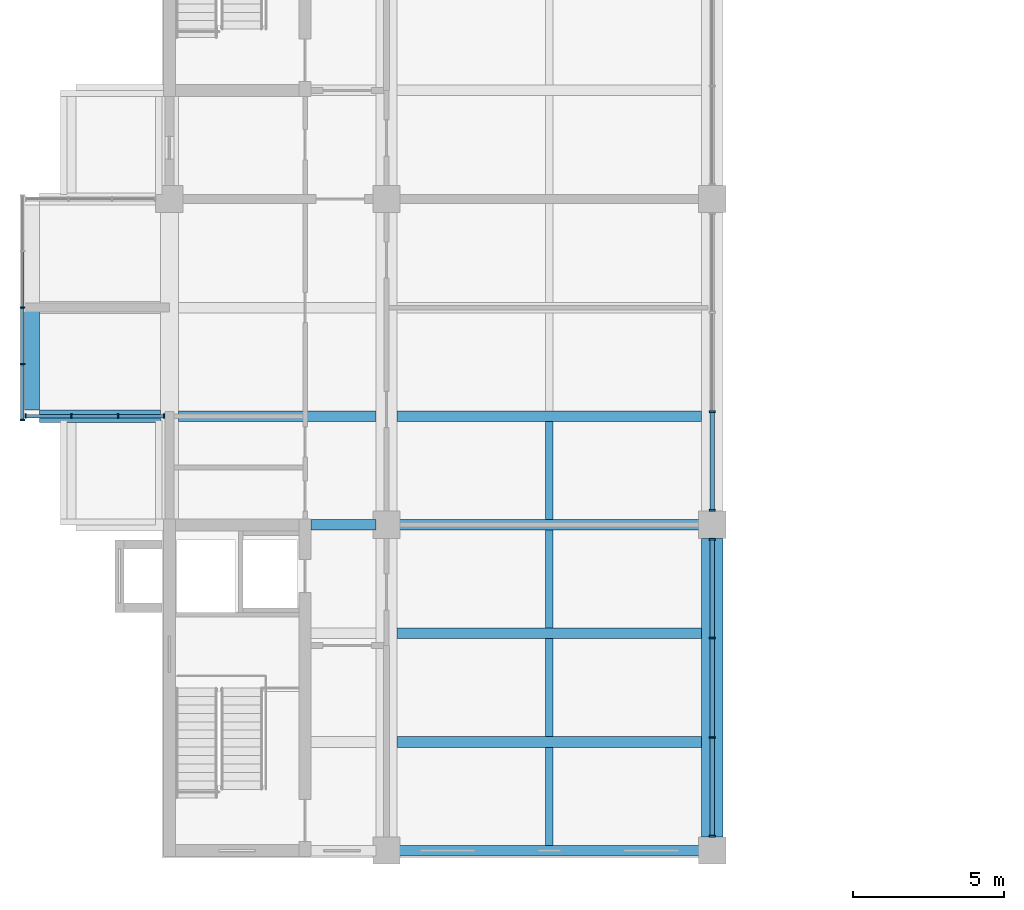
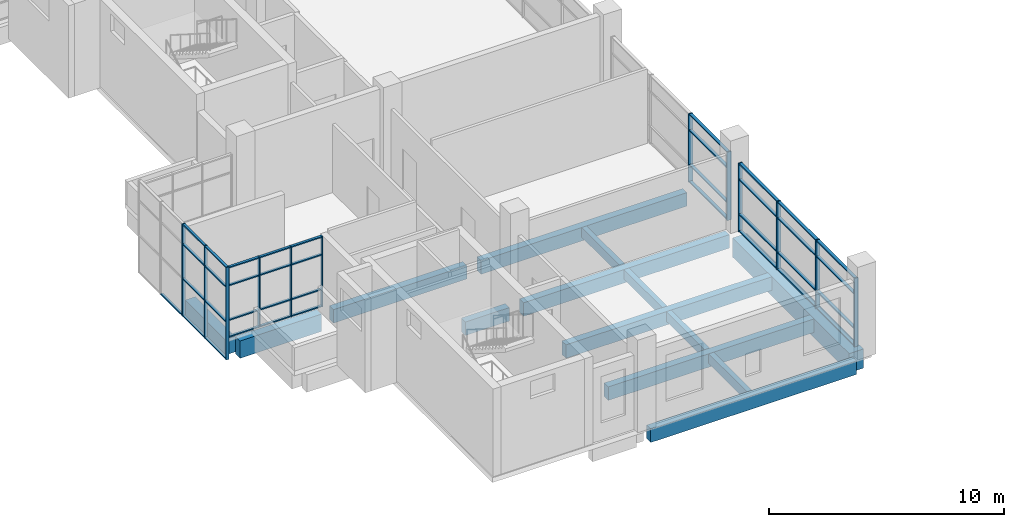
# One storey, part 2 of 22: 50 members, 14 beams, 4 elements without a shape of their own.
"""IFC4 building model written with IfcOpenShell, lengths in metres."""

from ifc_helpers import new_model, si_unit, direction, frame, origin, origin_2d, place, context, subcontext, project, spatial, rectangle, extrude, material, layer, layer_set, material_profile, profile_set, type_object, element, aggregate, save


model = new_model("IFC4")

# Units and contexts
model_context = context("Model", 3, precision=1e-05, world=origin(), true_north=direction((0.0, 1.0)))
body_context = subcontext(model_context, "Body", "Model", "MODEL_VIEW")
ifc_project = project(units=[si_unit("LENGTHUNIT", "METRE"), si_unit("AREAUNIT", "SQUARE_METRE"), si_unit("VOLUMEUNIT", "CUBIC_METRE"), si_unit("PLANEANGLEUNIT", "RADIAN"), si_unit("MASSUNIT", "GRAM", prefix="KILO")], contexts=[model_context])

# Site, building, storey
site_placement = place(None, origin())
site = spatial("IfcSite", under=ifc_project, at=site_placement, CompositionType="ELEMENT")
building_placement = place(site_placement, origin())
building = spatial("IfcBuilding", under=site, at=building_placement, Name="Basin Gate Institute", CompositionType="ELEMENT")
storey_placement = place(building_placement, frame((0.0, 0.0, 51.0)))
storey = spatial("IfcBuildingStorey", under=building, at=storey_placement, Name="L10", CompositionType="ELEMENT", Elevation=51.0)

# Beams
ifc_material_1 = material(Name="Concrete 40 MPa", Category="concrete")
ifc_material_profile_1 = material_profile(ifc_material_1, rectangle(XDim=0.35009765625, YDim=0.699951171875, at=origin_2d()), Name="Beam B1 350 x 700")
ifc_profile_set_1 = profile_set([ifc_material_profile_1], Name="Concrete 40 MPa")
beam_type_1 = type_object("IfcBeamType", Name="Beam B1 R120", PredefinedType="BEAM", material=ifc_profile_set_1)
for number, where, z_axis, x_axis, name in (
    (1, (68.75, 35.10009765625, -0.60009765625), (1.0, 0.0, 0.0), (0.0, 1.0, 0.0), "BEAM/L10/W/EW/01"),
    (2, (68.75, 38.699951171875, -0.60009765625), (1.0, 0.0, 0.0), (0.0, 1.0, 0.0), "BEAM/L10/W/EW/02"),
    (3, (68.75, 42.300048828125, -0.60009765625), (1.0, 0.0, 0.0), (0.0, 1.0, 0.0), "BEAM/L10/W/EW/03"),
    (4, (68.75, 45.89990234375, -0.60009765625), (1.0, 0.0, 0.0), (0.0, 1.0, 0.0), "BEAM/L10/W/EW/04"),
):
    element("IfcBeam", number, at=place(storey_placement, frame(where, z_axis=z_axis, x_axis=x_axis)), inside=storey, type_object=beam_type_1, material=ifc_profile_set_1, Name=name, PredefinedType="BEAM", context=body_context, shape_type="SweptSolid", body=[
        extrude(rectangle(XDim=0.35009765625, YDim=0.699951171875, at=origin_2d()), origin(), (0.0, 0.0, 1.0), 10.10009765625),
    ])
beam_1_placement = place(storey_placement, frame((65.89990234375, 45.89990234375, -0.60009765625), z_axis=(1.0, 0.0, 0.0), x_axis=(0.0, 1.0, 0.0)))
element("IfcBeam", 5, at=beam_1_placement, inside=storey, type_object=beam_type_1, material=ifc_profile_set_1, Name="BEAM/L10/W/CORR/04", PredefinedType="BEAM", context=body_context, shape_type="SweptSolid", body=[
    extrude(rectangle(XDim=0.35009765625, YDim=0.699951171875, at=origin_2d()), origin(), (0.0, 0.0, 1.0), 2.150146484375),
])
beam_2_placement = place(storey_placement, frame((68.75, 49.5, -0.60009765625), z_axis=(1.0, 0.0, 0.0), x_axis=(0.0, 1.0, 0.0)))
element("IfcBeam", 6, at=beam_2_placement, inside=storey, type_object=beam_type_1, material=ifc_profile_set_1, Name="BEAM/L10/W/EW/05", PredefinedType="BEAM", context=body_context, shape_type="SweptSolid", body=[
    extrude(rectangle(XDim=0.35009765625, YDim=0.699951171875, at=origin_2d()), origin(), (0.0, 0.0, 1.0), 10.10009765625),
])
beam_3_placement = place(storey_placement, frame((61.5, 49.5, -0.60009765625), z_axis=(1.0, 0.0, 0.0), x_axis=(0.0, 1.0, 0.0)))
element("IfcBeam", 7, at=beam_3_placement, inside=storey, type_object=beam_type_1, material=ifc_profile_set_1, Name="BEAM/L10/W/OUT/05", PredefinedType="BEAM", context=body_context, shape_type="SweptSolid", body=[
    extrude(rectangle(XDim=0.35009765625, YDim=0.699951171875, at=origin_2d()), origin(), (0.0, 0.0, 1.0), 6.550048828125),
])
ifc_material_2 = material(Name="Concrete 50 MPa", Category="concrete")
ifc_material_profile_2 = material_profile(ifc_material_2, rectangle(XDim=0.39990234375, YDim=0.89990234375, at=origin_2d()), Name="Cantilever beam B3 400 x 900")
ifc_profile_set_2 = profile_set([ifc_material_profile_2], Name="Concrete 50 MPa")
beam_type_2 = type_object("IfcBeamType", Name="Cantilever beam B3 R120", PredefinedType="BEAM", material=ifc_profile_set_2)
beam_4_placement = place(storey_placement, frame((56.89990234375, 49.5, -0.699951171875), z_axis=(1.0, 0.0, 0.0), x_axis=(0.0, 1.0, 0.0)))
element("IfcBeam", 8, at=beam_4_placement, inside=storey, type_object=beam_type_2, material=ifc_profile_set_2, Name="BEAM/L10/W/CANT/05", PredefinedType="BEAM", context=body_context, shape_type="SweptSolid", body=[
    extrude(rectangle(XDim=0.39990234375, YDim=0.89990234375, at=origin_2d()), origin(), (0.0, 0.0, 1.0), 4.0),
])
ifc_material_3 = material(Name="Concrete 50 MPa", Category="concrete")
ifc_material_profile_3 = material_profile(ifc_material_3, rectangle(XDim=0.699951171875, YDim=1.0, at=origin_2d()), Name="Girder G1 700 x 1000")
ifc_profile_set_3 = profile_set([ifc_material_profile_3], Name="Concrete 50 MPa")
beam_type_3 = type_object("IfcBeamType", Name="Girder G1 R120", PredefinedType="BEAM", material=ifc_profile_set_3)
beam_5_placement = place(storey_placement, frame((79.199951171875, 35.550048828125, -0.75), z_axis=(0.0, 1.0, 0.0), x_axis=(-1.0, 0.0, 0.0)))
element("IfcBeam", 9, at=beam_5_placement, inside=storey, type_object=beam_type_3, material=ifc_profile_set_3, Name="GIR/L10/W6/1", PredefinedType="BEAM", context=body_context, shape_type="SweptSolid", body=[
    extrude(rectangle(XDim=0.699951171875, YDim=1.0, at=origin_2d()), origin(), (0.0, 0.0, 1.0), 9.89990234375),
])

# Curtain wall, members
ifc_material_4 = material(Name="Aluminium-framed glazing", Category="aluminium")
ifc_layer_1 = layer(ifc_material_4, 0.14990234375)
ifc_layer_set_1 = layer_set([ifc_layer_1], Name="Capsule front curtain wall CW1")
curtain_wall_type_1 = type_object("IfcCurtainWallType", Name="Capsule front curtain wall CW1", PredefinedType="NOTDEFINED", material=ifc_layer_set_1)
curtain_wall_1_placement = place(storey_placement, origin())
curtain_wall_1 = element("IfcCurtainWall", 10, at=curtain_wall_1_placement, inside=storey, type_object=curtain_wall_type_1, material=ifc_layer_set_1, Name="Capsule front curtain wall W wing capsule end L10 line 5", PredefinedType="NOTDEFINED")
ifc_material_5 = material(Name="Aluminium", Category="aluminium")
ifc_material_profile_4 = material_profile(ifc_material_5, rectangle(XDim=0.14990234375, YDim=0.050048828125, at=origin_2d()), Name="Mullion MU1 150 x 50")
ifc_profile_set_4 = profile_set([ifc_material_profile_4], Name="Aluminium")
member_type_1 = type_object("IfcMemberType", Name="Mullion MU1", PredefinedType="MULLION", material=ifc_profile_set_4)
member_1_placement = place(storey_placement, frame((56.425048828125, 49.5, 0.0), z_axis=(0.0, 0.0, 1.0), x_axis=(0.0, 1.0, 0.0)))
member_1 = element("IfcMember", 11, at=member_1_placement, type_object=member_type_1, material=ifc_profile_set_4, Name="CW1 mullion 1", PredefinedType="MULLION", context=body_context, shape_type="SweptSolid", body=[
    extrude(rectangle(XDim=0.14990234375, YDim=0.050048828125, at=origin_2d()), origin(), (0.0, 0.0, 1.0), 3.64990234375),
])
member_2_placement = place(storey_placement, frame((57.949951171875, 49.5, 0.0), z_axis=(0.0, 0.0, 1.0), x_axis=(0.0, 1.0, 0.0)))
member_2 = element("IfcMember", 12, at=member_2_placement, type_object=member_type_1, material=ifc_profile_set_4, Name="CW1 mullion 2", PredefinedType="MULLION", context=body_context, shape_type="SweptSolid", body=[
    extrude(rectangle(XDim=0.14990234375, YDim=0.050048828125, at=origin_2d()), origin(), (0.0, 0.0, 1.0), 3.64990234375),
])
member_3_placement = place(storey_placement, frame((59.5, 49.5, 0.0), z_axis=(0.0, 0.0, 1.0), x_axis=(0.0, 1.0, 0.0)))
member_3 = element("IfcMember", 13, at=member_3_placement, type_object=member_type_1, material=ifc_profile_set_4, Name="CW1 mullion 3", PredefinedType="MULLION", context=body_context, shape_type="SweptSolid", body=[
    extrude(rectangle(XDim=0.14990234375, YDim=0.050048828125, at=origin_2d()), origin(), (0.0, 0.0, 1.0), 3.64990234375),
])
member_4_placement = place(storey_placement, frame((61.02490234375, 49.5, 0.0), z_axis=(0.0, 0.0, 1.0), x_axis=(0.0, 1.0, 0.0)))
member_4 = element("IfcMember", 14, at=member_4_placement, type_object=member_type_1, material=ifc_profile_set_4, Name="CW1 mullion 4", PredefinedType="MULLION", context=body_context, shape_type="SweptSolid", body=[
    extrude(rectangle(XDim=0.14990234375, YDim=0.050048828125, at=origin_2d()), origin(), (0.0, 0.0, 1.0), 3.64990234375),
])

curtain_wall_2_placement = place(storey_placement, origin())
curtain_wall_2 = element("IfcCurtainWall", 15, at=curtain_wall_2_placement, inside=storey, type_object=curtain_wall_type_1, material=ifc_layer_set_1, Name="Capsule front curtain wall W wing capsule 1 L10 front 2", PredefinedType="NOTDEFINED")
member_5_placement = place(storey_placement, frame((56.324951171875, 49.375, -1.050048828125), z_axis=(0.0, 0.0, 1.0), x_axis=(-1.0, 0.0, 0.0)))
member_5 = element("IfcMember", 16, at=member_5_placement, type_object=member_type_1, material=ifc_profile_set_4, Name="CW1 mullion 1", PredefinedType="MULLION", context=body_context, shape_type="SweptSolid", body=[
    extrude(rectangle(XDim=0.14990234375, YDim=0.050048828125, at=origin_2d()), origin(), (0.0, 0.0, 1.0), 4.800048828125),
])
member_6_placement = place(storey_placement, frame((56.324951171875, 51.22509765625, -1.050048828125), z_axis=(0.0, 0.0, 1.0), x_axis=(-1.0, 0.0, 0.0)))
member_6 = element("IfcMember", 17, at=member_6_placement, type_object=member_type_1, material=ifc_profile_set_4, Name="CW1 mullion 2", PredefinedType="MULLION", context=body_context, shape_type="SweptSolid", body=[
    extrude(rectangle(XDim=0.14990234375, YDim=0.050048828125, at=origin_2d()), origin(), (0.0, 0.0, 1.0), 4.800048828125),
])
member_7_placement = place(storey_placement, frame((56.324951171875, 53.10009765625, -1.050048828125), z_axis=(0.0, 0.0, 1.0), x_axis=(-1.0, 0.0, 0.0)))
member_7 = element("IfcMember", 18, at=member_7_placement, type_object=member_type_1, material=ifc_profile_set_4, Name="CW1 mullion 3", PredefinedType="MULLION", context=body_context, shape_type="SweptSolid", body=[
    extrude(rectangle(XDim=0.14990234375, YDim=0.050048828125, at=origin_2d()), origin(), (0.0, 0.0, 1.0), 4.800048828125),
])

ifc_material_6 = material(Name="Aluminium-framed glazing", Category="aluminium")
ifc_layer_2 = layer(ifc_material_6, 0.199951171875)
ifc_layer_set_2 = layer_set([ifc_layer_2], Name="Atrium curtain wall CW2")
curtain_wall_type_2 = type_object("IfcCurtainWallType", Name="Atrium curtain wall CW2", PredefinedType="NOTDEFINED", material=ifc_layer_set_2)
curtain_wall_3_placement = place(storey_placement, origin())
curtain_wall_3 = element("IfcCurtainWall", 19, at=curtain_wall_3_placement, inside=storey, type_object=curtain_wall_type_2, material=ifc_layer_set_2, Name="Atrium curtain wall W wing atrium bay 1 L10", PredefinedType="NOTDEFINED")
ifc_material_7 = material(Name="Aluminium", Category="aluminium")
ifc_material_profile_5 = material_profile(ifc_material_7, rectangle(XDim=0.199951171875, YDim=0.06005859375, at=origin_2d()), Name="Mullion MU2 200 x 60")
ifc_profile_set_5 = profile_set([ifc_material_profile_5], Name="Aluminium")
member_type_2 = type_object("IfcMemberType", Name="Mullion MU2", PredefinedType="MULLION", material=ifc_profile_set_5)
member_8_placement = place(storey_placement, frame((79.199951171875, 35.580078125, 0.0), z_axis=(0.0, 0.0, 1.0), x_axis=(-1.0, 0.0, 0.0)))
member_8 = element("IfcMember", 20, at=member_8_placement, type_object=member_type_2, material=ifc_profile_set_5, Name="CW2 mullion 1", PredefinedType="MULLION", context=body_context, shape_type="SweptSolid", body=[
    extrude(rectangle(XDim=0.199951171875, YDim=0.06005859375, at=origin_2d()), origin(), (0.0, 0.0, 1.0), 3.550048828125),
])
member_9_placement = place(storey_placement, frame((79.199951171875, 38.85009765625, 0.0), z_axis=(0.0, 0.0, 1.0), x_axis=(-1.0, 0.0, 0.0)))
member_9 = element("IfcMember", 21, at=member_9_placement, type_object=member_type_2, material=ifc_profile_set_5, Name="CW2 mullion 2", PredefinedType="MULLION", context=body_context, shape_type="SweptSolid", body=[
    extrude(rectangle(XDim=0.199951171875, YDim=0.06005859375, at=origin_2d()), origin(), (0.0, 0.0, 1.0), 3.550048828125),
])
member_10_placement = place(storey_placement, frame((79.199951171875, 42.14990234375, 0.0), z_axis=(0.0, 0.0, 1.0), x_axis=(-1.0, 0.0, 0.0)))
member_10 = element("IfcMember", 22, at=member_10_placement, type_object=member_type_2, material=ifc_profile_set_5, Name="CW2 mullion 3", PredefinedType="MULLION", context=body_context, shape_type="SweptSolid", body=[
    extrude(rectangle(XDim=0.199951171875, YDim=0.06005859375, at=origin_2d()), origin(), (0.0, 0.0, 1.0), 3.550048828125),
])
member_11_placement = place(storey_placement, frame((79.199951171875, 45.419921875, 0.0), z_axis=(0.0, 0.0, 1.0), x_axis=(-1.0, 0.0, 0.0)))
member_11 = element("IfcMember", 23, at=member_11_placement, type_object=member_type_2, material=ifc_profile_set_5, Name="CW2 mullion 4", PredefinedType="MULLION", context=body_context, shape_type="SweptSolid", body=[
    extrude(rectangle(XDim=0.199951171875, YDim=0.06005859375, at=origin_2d()), origin(), (0.0, 0.0, 1.0), 3.550048828125),
])

curtain_wall_4_placement = place(storey_placement, origin())
curtain_wall_4 = element("IfcCurtainWall", 24, at=curtain_wall_4_placement, inside=storey, type_object=curtain_wall_type_2, material=ifc_layer_set_2, Name="Atrium curtain wall W wing atrium bay 2 L10", PredefinedType="NOTDEFINED")
member_12_placement = place(storey_placement, frame((79.199951171875, 46.3798828125, 0.0), z_axis=(0.0, 0.0, 1.0), x_axis=(-1.0, 0.0, 0.0)))
member_12 = element("IfcMember", 25, at=member_12_placement, type_object=member_type_2, material=ifc_profile_set_5, Name="CW2 mullion 1", PredefinedType="MULLION", context=body_context, shape_type="SweptSolid", body=[
    extrude(rectangle(XDim=0.199951171875, YDim=0.06005859375, at=origin_2d()), origin(), (0.0, 0.0, 1.0), 3.550048828125),
])
member_13_placement = place(storey_placement, frame((79.199951171875, 49.64990234375, 0.0), z_axis=(0.0, 0.0, 1.0), x_axis=(-1.0, 0.0, 0.0)))
member_13 = element("IfcMember", 26, at=member_13_placement, type_object=member_type_2, material=ifc_profile_set_5, Name="CW2 mullion 2", PredefinedType="MULLION", context=body_context, shape_type="SweptSolid", body=[
    extrude(rectangle(XDim=0.199951171875, YDim=0.06005859375, at=origin_2d()), origin(), (0.0, 0.0, 1.0), 3.550048828125),
])

# Beams
ifc_material_8 = material(Name="Concrete 40 MPa", Category="concrete")
ifc_material_profile_6 = material_profile(ifc_material_8, rectangle(XDim=0.25, YDim=0.5, at=origin_2d()), Name="Rib R1 250 x 500")
ifc_profile_set_6 = profile_set([ifc_material_profile_6], Name="Concrete 40 MPa")
beam_type_4 = type_object("IfcBeamType", Name="Rib R1 R120", PredefinedType="JOIST", material=ifc_profile_set_6)
for number, where, z_axis, x_axis, name in (
    (27, (73.800048828125, 35.27490234375, -0.5), (0.0, 1.0, 0.0), (-1.0, 0.0, 0.0), "BEAM/L10/W/RIB/01"),
    (28, (73.800048828125, 38.875, -0.5), (0.0, 1.0, 0.0), (-1.0, 0.0, 0.0), "BEAM/L10/W/RIB/02"),
    (29, (73.800048828125, 42.47509765625, -0.5), (0.0, 1.0, 0.0), (-1.0, 0.0, 0.0), "BEAM/L10/W/RIB/03"),
    (30, (73.800048828125, 46.074951171875, -0.5), (0.0, 1.0, 0.0), (-1.0, 0.0, 0.0), "BEAM/L10/W/RIB/04"),
):
    element("IfcBeam", number, at=place(storey_placement, frame(where, z_axis=z_axis, x_axis=x_axis)), inside=storey, type_object=beam_type_4, material=ifc_profile_set_6, Name=name, PredefinedType="JOIST", context=body_context, shape_type="SweptSolid", body=[
        extrude(rectangle(XDim=0.25, YDim=0.5, at=origin_2d()), origin(), (0.0, 0.0, 1.0), 3.25),
    ])
ifc_material_9 = material(Name="Concrete 50 MPa", Category="concrete")
ifc_material_profile_7 = material_profile(ifc_material_9, rectangle(XDim=0.5, YDim=0.800048828125, at=origin_2d()), Name="Tip beam TB1 500 x 800")
ifc_profile_set_7 = profile_set([ifc_material_profile_7], Name="Concrete 50 MPa")
beam_type_5 = type_object("IfcBeamType", Name="Tip beam TB1 R120", PredefinedType="SPANDREL", material=ifc_profile_set_7)
beam_6_placement = place(storey_placement, frame((56.64990234375, 49.699951171875, -0.64990234375), z_axis=(0.0, 1.0, 0.0), x_axis=(-1.0, 0.0, 0.0)))
element("IfcBeam", 31, at=beam_6_placement, inside=storey, type_object=beam_type_5, material=ifc_profile_set_7, Name="BEAM/L10/W/TIP/2", PredefinedType="SPANDREL", context=body_context, shape_type="SweptSolid", body=[
    extrude(rectangle(XDim=0.5, YDim=0.800048828125, at=origin_2d()), origin(), (0.0, 0.0, 1.0), 3.400146484375),
])

# Member
ifc_material_10 = material(Name="Aluminium", Category="aluminium")
ifc_material_profile_8 = material_profile(ifc_material_10, rectangle(XDim=0.1201171875, YDim=0.06005859375, at=origin_2d()), Name="Transom TR1 120 x 60")
ifc_profile_set_8 = profile_set([ifc_material_profile_8], Name="Aluminium")
member_type_3 = type_object("IfcMemberType", Name="Transom TR1", PredefinedType="USERDEFINED", material=ifc_profile_set_8)
member_14_placement = place(storey_placement, frame((56.449951171875, 49.5, 0.030029296875), z_axis=(1.0, 0.0, 0.0), x_axis=(0.0, 1.0, 0.0)))
member_14 = element("IfcMember", 32, at=member_14_placement, type_object=member_type_3, material=ifc_profile_set_8, Name="CW1 transom 1.1", ObjectType="TRANSOM", PredefinedType="USERDEFINED", context=body_context, shape_type="SweptSolid", body=[
    extrude(rectangle(XDim=0.1201171875, YDim=0.06005859375, at=origin_2d()), origin(), (0.0, 0.0, 1.0), 1.47509765625),
])

member_15_placement = place(storey_placement, frame((56.449951171875, 49.5, 0.89990234375), z_axis=(1.0, 0.0, 0.0), x_axis=(0.0, 1.0, 0.0)))
member_15 = element("IfcMember", 33, at=member_15_placement, type_object=member_type_3, material=ifc_profile_set_8, Name="CW1 transom 1.2", ObjectType="TRANSOM", PredefinedType="USERDEFINED", context=body_context, shape_type="SweptSolid", body=[
    extrude(rectangle(XDim=0.1201171875, YDim=0.06005859375, at=origin_2d()), origin(), (0.0, 0.0, 1.0), 1.47509765625),
])

member_16_placement = place(storey_placement, frame((56.449951171875, 49.5, 2.699951171875), z_axis=(1.0, 0.0, 0.0), x_axis=(0.0, 1.0, 0.0)))
member_16 = element("IfcMember", 34, at=member_16_placement, type_object=member_type_3, material=ifc_profile_set_8, Name="CW1 transom 1.3", ObjectType="TRANSOM", PredefinedType="USERDEFINED", context=body_context, shape_type="SweptSolid", body=[
    extrude(rectangle(XDim=0.1201171875, YDim=0.06005859375, at=origin_2d()), origin(), (0.0, 0.0, 1.0), 1.47509765625),
])

member_17_placement = place(storey_placement, frame((56.449951171875, 49.5, 3.6201171875), z_axis=(1.0, 0.0, 0.0), x_axis=(0.0, 1.0, 0.0)))
member_17 = element("IfcMember", 35, at=member_17_placement, type_object=member_type_3, material=ifc_profile_set_8, Name="CW1 transom 1.4", ObjectType="TRANSOM", PredefinedType="USERDEFINED", context=body_context, shape_type="SweptSolid", body=[
    extrude(rectangle(XDim=0.1201171875, YDim=0.06005859375, at=origin_2d()), origin(), (0.0, 0.0, 1.0), 1.47509765625),
])

member_18_placement = place(storey_placement, frame((57.97509765625, 49.5, 0.030029296875), z_axis=(1.0, 0.0, 0.0), x_axis=(0.0, 1.0, 0.0)))
member_18 = element("IfcMember", 36, at=member_18_placement, type_object=member_type_3, material=ifc_profile_set_8, Name="CW1 transom 2.1", ObjectType="TRANSOM", PredefinedType="USERDEFINED", context=body_context, shape_type="SweptSolid", body=[
    extrude(rectangle(XDim=0.1201171875, YDim=0.06005859375, at=origin_2d()), origin(), (0.0, 0.0, 1.0), 1.5),
])

member_19_placement = place(storey_placement, frame((57.97509765625, 49.5, 0.89990234375), z_axis=(1.0, 0.0, 0.0), x_axis=(0.0, 1.0, 0.0)))
member_19 = element("IfcMember", 37, at=member_19_placement, type_object=member_type_3, material=ifc_profile_set_8, Name="CW1 transom 2.2", ObjectType="TRANSOM", PredefinedType="USERDEFINED", context=body_context, shape_type="SweptSolid", body=[
    extrude(rectangle(XDim=0.1201171875, YDim=0.06005859375, at=origin_2d()), origin(), (0.0, 0.0, 1.0), 1.5),
])

member_20_placement = place(storey_placement, frame((57.97509765625, 49.5, 2.699951171875), z_axis=(1.0, 0.0, 0.0), x_axis=(0.0, 1.0, 0.0)))
member_20 = element("IfcMember", 38, at=member_20_placement, type_object=member_type_3, material=ifc_profile_set_8, Name="CW1 transom 2.3", ObjectType="TRANSOM", PredefinedType="USERDEFINED", context=body_context, shape_type="SweptSolid", body=[
    extrude(rectangle(XDim=0.1201171875, YDim=0.06005859375, at=origin_2d()), origin(), (0.0, 0.0, 1.0), 1.5),
])

member_21_placement = place(storey_placement, frame((57.97509765625, 49.5, 3.6201171875), z_axis=(1.0, 0.0, 0.0), x_axis=(0.0, 1.0, 0.0)))
member_21 = element("IfcMember", 39, at=member_21_placement, type_object=member_type_3, material=ifc_profile_set_8, Name="CW1 transom 2.4", ObjectType="TRANSOM", PredefinedType="USERDEFINED", context=body_context, shape_type="SweptSolid", body=[
    extrude(rectangle(XDim=0.1201171875, YDim=0.06005859375, at=origin_2d()), origin(), (0.0, 0.0, 1.0), 1.5),
])

member_22_placement = place(storey_placement, frame((59.52490234375, 49.5, 0.030029296875), z_axis=(1.0, 0.0, 0.0), x_axis=(0.0, 1.0, 0.0)))
member_22 = element("IfcMember", 40, at=member_22_placement, type_object=member_type_3, material=ifc_profile_set_8, Name="CW1 transom 3.1", ObjectType="TRANSOM", PredefinedType="USERDEFINED", context=body_context, shape_type="SweptSolid", body=[
    extrude(rectangle(XDim=0.1201171875, YDim=0.06005859375, at=origin_2d()), origin(), (0.0, 0.0, 1.0), 1.47509765625),
])

member_23_placement = place(storey_placement, frame((59.52490234375, 49.5, 0.89990234375), z_axis=(1.0, 0.0, 0.0), x_axis=(0.0, 1.0, 0.0)))
member_23 = element("IfcMember", 41, at=member_23_placement, type_object=member_type_3, material=ifc_profile_set_8, Name="CW1 transom 3.2", ObjectType="TRANSOM", PredefinedType="USERDEFINED", context=body_context, shape_type="SweptSolid", body=[
    extrude(rectangle(XDim=0.1201171875, YDim=0.06005859375, at=origin_2d()), origin(), (0.0, 0.0, 1.0), 1.47509765625),
])

member_24_placement = place(storey_placement, frame((59.52490234375, 49.5, 2.699951171875), z_axis=(1.0, 0.0, 0.0), x_axis=(0.0, 1.0, 0.0)))
member_24 = element("IfcMember", 42, at=member_24_placement, type_object=member_type_3, material=ifc_profile_set_8, Name="CW1 transom 3.3", ObjectType="TRANSOM", PredefinedType="USERDEFINED", context=body_context, shape_type="SweptSolid", body=[
    extrude(rectangle(XDim=0.1201171875, YDim=0.06005859375, at=origin_2d()), origin(), (0.0, 0.0, 1.0), 1.47509765625),
])

member_25_placement = place(storey_placement, frame((59.52490234375, 49.5, 3.6201171875), z_axis=(1.0, 0.0, 0.0), x_axis=(0.0, 1.0, 0.0)))
member_25 = element("IfcMember", 43, at=member_25_placement, type_object=member_type_3, material=ifc_profile_set_8, Name="CW1 transom 3.4", ObjectType="TRANSOM", PredefinedType="USERDEFINED", context=body_context, shape_type="SweptSolid", body=[
    extrude(rectangle(XDim=0.1201171875, YDim=0.06005859375, at=origin_2d()), origin(), (0.0, 0.0, 1.0), 1.47509765625),
])

aggregate(curtain_wall_1, [member_1, member_2, member_3, member_4, member_14, member_15, member_16, member_17, member_18, member_19, member_20, member_21, member_22, member_23, member_24, member_25])

member_26_placement = place(storey_placement, frame((56.324951171875, 49.39990234375, -1.02001953125), z_axis=(0.0, 1.0, 0.0), x_axis=(-1.0, 0.0, 0.0)))
member_26 = element("IfcMember", 44, at=member_26_placement, type_object=member_type_3, material=ifc_profile_set_8, Name="CW1 transom 1.1", ObjectType="TRANSOM", PredefinedType="USERDEFINED", context=body_context, shape_type="SweptSolid", body=[
    extrude(rectangle(XDim=0.1201171875, YDim=0.06005859375, at=origin_2d()), origin(), (0.0, 0.0, 1.0), 1.800048828125),
])

member_27_placement = place(storey_placement, frame((56.324951171875, 49.39990234375, 0.89990234375), z_axis=(0.0, 1.0, 0.0), x_axis=(-1.0, 0.0, 0.0)))
member_27 = element("IfcMember", 45, at=member_27_placement, type_object=member_type_3, material=ifc_profile_set_8, Name="CW1 transom 1.2", ObjectType="TRANSOM", PredefinedType="USERDEFINED", context=body_context, shape_type="SweptSolid", body=[
    extrude(rectangle(XDim=0.1201171875, YDim=0.06005859375, at=origin_2d()), origin(), (0.0, 0.0, 1.0), 1.800048828125),
])

member_28_placement = place(storey_placement, frame((56.324951171875, 49.39990234375, 2.699951171875), z_axis=(0.0, 1.0, 0.0), x_axis=(-1.0, 0.0, 0.0)))
member_28 = element("IfcMember", 46, at=member_28_placement, type_object=member_type_3, material=ifc_profile_set_8, Name="CW1 transom 1.3", ObjectType="TRANSOM", PredefinedType="USERDEFINED", context=body_context, shape_type="SweptSolid", body=[
    extrude(rectangle(XDim=0.1201171875, YDim=0.06005859375, at=origin_2d()), origin(), (0.0, 0.0, 1.0), 1.800048828125),
])

member_29_placement = place(storey_placement, frame((56.324951171875, 49.39990234375, 3.719970703125), z_axis=(0.0, 1.0, 0.0), x_axis=(-1.0, 0.0, 0.0)))
member_29 = element("IfcMember", 47, at=member_29_placement, type_object=member_type_3, material=ifc_profile_set_8, Name="CW1 transom 1.4", ObjectType="TRANSOM", PredefinedType="USERDEFINED", context=body_context, shape_type="SweptSolid", body=[
    extrude(rectangle(XDim=0.1201171875, YDim=0.06005859375, at=origin_2d()), origin(), (0.0, 0.0, 1.0), 1.800048828125),
])

member_30_placement = place(storey_placement, frame((56.324951171875, 51.25, -1.02001953125), z_axis=(0.0, 1.0, 0.0), x_axis=(-1.0, 0.0, 0.0)))
member_30 = element("IfcMember", 48, at=member_30_placement, type_object=member_type_3, material=ifc_profile_set_8, Name="CW1 transom 2.1", ObjectType="TRANSOM", PredefinedType="USERDEFINED", context=body_context, shape_type="SweptSolid", body=[
    extrude(rectangle(XDim=0.1201171875, YDim=0.06005859375, at=origin_2d()), origin(), (0.0, 0.0, 1.0), 1.824951171875),
])

member_31_placement = place(storey_placement, frame((56.324951171875, 51.25, 0.89990234375), z_axis=(0.0, 1.0, 0.0), x_axis=(-1.0, 0.0, 0.0)))
member_31 = element("IfcMember", 49, at=member_31_placement, type_object=member_type_3, material=ifc_profile_set_8, Name="CW1 transom 2.2", ObjectType="TRANSOM", PredefinedType="USERDEFINED", context=body_context, shape_type="SweptSolid", body=[
    extrude(rectangle(XDim=0.1201171875, YDim=0.06005859375, at=origin_2d()), origin(), (0.0, 0.0, 1.0), 1.824951171875),
])

member_32_placement = place(storey_placement, frame((56.324951171875, 51.25, 2.699951171875), z_axis=(0.0, 1.0, 0.0), x_axis=(-1.0, 0.0, 0.0)))
member_32 = element("IfcMember", 50, at=member_32_placement, type_object=member_type_3, material=ifc_profile_set_8, Name="CW1 transom 2.3", ObjectType="TRANSOM", PredefinedType="USERDEFINED", context=body_context, shape_type="SweptSolid", body=[
    extrude(rectangle(XDim=0.1201171875, YDim=0.06005859375, at=origin_2d()), origin(), (0.0, 0.0, 1.0), 1.824951171875),
])

member_33_placement = place(storey_placement, frame((56.324951171875, 51.25, 3.719970703125), z_axis=(0.0, 1.0, 0.0), x_axis=(-1.0, 0.0, 0.0)))
member_33 = element("IfcMember", 51, at=member_33_placement, type_object=member_type_3, material=ifc_profile_set_8, Name="CW1 transom 2.4", ObjectType="TRANSOM", PredefinedType="USERDEFINED", context=body_context, shape_type="SweptSolid", body=[
    extrude(rectangle(XDim=0.1201171875, YDim=0.06005859375, at=origin_2d()), origin(), (0.0, 0.0, 1.0), 1.824951171875),
])

member_34_placement = place(storey_placement, frame((56.324951171875, 53.125, -1.02001953125), z_axis=(0.0, 1.0, 0.0), x_axis=(-1.0, 0.0, 0.0)))
member_34 = element("IfcMember", 52, at=member_34_placement, type_object=member_type_3, material=ifc_profile_set_8, Name="CW1 transom 3.1", ObjectType="TRANSOM", PredefinedType="USERDEFINED", context=body_context, shape_type="SweptSolid", body=[
    extrude(rectangle(XDim=0.1201171875, YDim=0.06005859375, at=origin_2d()), origin(), (0.0, 0.0, 1.0), 1.824951171875),
])

aggregate(curtain_wall_2, [member_5, member_6, member_7, member_26, member_27, member_28, member_29, member_30, member_31, member_32, member_33, member_34])

ifc_material_11 = material(Name="Aluminium", Category="aluminium")
ifc_material_profile_9 = material_profile(ifc_material_11, rectangle(XDim=0.14990234375, YDim=0.06005859375, at=origin_2d()), Name="Transom TR2 150 x 60")
ifc_profile_set_9 = profile_set([ifc_material_profile_9], Name="Aluminium")
member_type_4 = type_object("IfcMemberType", Name="Transom TR2", PredefinedType="USERDEFINED", material=ifc_profile_set_9)
member_35_placement = place(storey_placement, frame((79.199951171875, 35.610107421875, 0.030029296875), z_axis=(0.0, 1.0, 0.0), x_axis=(-1.0, 0.0, 0.0)))
member_35 = element("IfcMember", 53, at=member_35_placement, type_object=member_type_4, material=ifc_profile_set_9, Name="CW2 transom 1.1", ObjectType="TRANSOM", PredefinedType="USERDEFINED", context=body_context, shape_type="SweptSolid", body=[
    extrude(rectangle(XDim=0.14990234375, YDim=0.06005859375, at=origin_2d()), origin(), (0.0, 0.0, 1.0), 3.2099609375),
])

member_36_placement = place(storey_placement, frame((79.199951171875, 35.610107421875, 0.89990234375), z_axis=(0.0, 1.0, 0.0), x_axis=(-1.0, 0.0, 0.0)))
member_36 = element("IfcMember", 54, at=member_36_placement, type_object=member_type_4, material=ifc_profile_set_9, Name="CW2 transom 1.2", ObjectType="TRANSOM", PredefinedType="USERDEFINED", context=body_context, shape_type="SweptSolid", body=[
    extrude(rectangle(XDim=0.14990234375, YDim=0.06005859375, at=origin_2d()), origin(), (0.0, 0.0, 1.0), 3.2099609375),
])

member_37_placement = place(storey_placement, frame((79.199951171875, 35.610107421875, 2.699951171875), z_axis=(0.0, 1.0, 0.0), x_axis=(-1.0, 0.0, 0.0)))
member_37 = element("IfcMember", 55, at=member_37_placement, type_object=member_type_4, material=ifc_profile_set_9, Name="CW2 transom 1.3", ObjectType="TRANSOM", PredefinedType="USERDEFINED", context=body_context, shape_type="SweptSolid", body=[
    extrude(rectangle(XDim=0.14990234375, YDim=0.06005859375, at=origin_2d()), origin(), (0.0, 0.0, 1.0), 3.2099609375),
])

member_38_placement = place(storey_placement, frame((79.199951171875, 35.610107421875, 3.52001953125), z_axis=(0.0, 1.0, 0.0), x_axis=(-1.0, 0.0, 0.0)))
member_38 = element("IfcMember", 56, at=member_38_placement, type_object=member_type_4, material=ifc_profile_set_9, Name="CW2 transom 1.4", ObjectType="TRANSOM", PredefinedType="USERDEFINED", context=body_context, shape_type="SweptSolid", body=[
    extrude(rectangle(XDim=0.14990234375, YDim=0.06005859375, at=origin_2d()), origin(), (0.0, 0.0, 1.0), 3.2099609375),
])

member_39_placement = place(storey_placement, frame((79.199951171875, 38.8798828125, 0.030029296875), z_axis=(0.0, 1.0, 0.0), x_axis=(-1.0, 0.0, 0.0)))
member_39 = element("IfcMember", 57, at=member_39_placement, type_object=member_type_4, material=ifc_profile_set_9, Name="CW2 transom 2.1", ObjectType="TRANSOM", PredefinedType="USERDEFINED", context=body_context, shape_type="SweptSolid", body=[
    extrude(rectangle(XDim=0.14990234375, YDim=0.06005859375, at=origin_2d()), origin(), (0.0, 0.0, 1.0), 3.240234375),
])

member_40_placement = place(storey_placement, frame((79.199951171875, 38.8798828125, 0.89990234375), z_axis=(0.0, 1.0, 0.0), x_axis=(-1.0, 0.0, 0.0)))
member_40 = element("IfcMember", 58, at=member_40_placement, type_object=member_type_4, material=ifc_profile_set_9, Name="CW2 transom 2.2", ObjectType="TRANSOM", PredefinedType="USERDEFINED", context=body_context, shape_type="SweptSolid", body=[
    extrude(rectangle(XDim=0.14990234375, YDim=0.06005859375, at=origin_2d()), origin(), (0.0, 0.0, 1.0), 3.240234375),
])

member_41_placement = place(storey_placement, frame((79.199951171875, 38.8798828125, 2.699951171875), z_axis=(0.0, 1.0, 0.0), x_axis=(-1.0, 0.0, 0.0)))
member_41 = element("IfcMember", 59, at=member_41_placement, type_object=member_type_4, material=ifc_profile_set_9, Name="CW2 transom 2.3", ObjectType="TRANSOM", PredefinedType="USERDEFINED", context=body_context, shape_type="SweptSolid", body=[
    extrude(rectangle(XDim=0.14990234375, YDim=0.06005859375, at=origin_2d()), origin(), (0.0, 0.0, 1.0), 3.240234375),
])

member_42_placement = place(storey_placement, frame((79.199951171875, 38.8798828125, 3.52001953125), z_axis=(0.0, 1.0, 0.0), x_axis=(-1.0, 0.0, 0.0)))
member_42 = element("IfcMember", 60, at=member_42_placement, type_object=member_type_4, material=ifc_profile_set_9, Name="CW2 transom 2.4", ObjectType="TRANSOM", PredefinedType="USERDEFINED", context=body_context, shape_type="SweptSolid", body=[
    extrude(rectangle(XDim=0.14990234375, YDim=0.06005859375, at=origin_2d()), origin(), (0.0, 0.0, 1.0), 3.240234375),
])

member_43_placement = place(storey_placement, frame((79.199951171875, 42.179931640625, 0.030029296875), z_axis=(0.0, 1.0, 0.0), x_axis=(-1.0, 0.0, 0.0)))
member_43 = element("IfcMember", 61, at=member_43_placement, type_object=member_type_4, material=ifc_profile_set_9, Name="CW2 transom 3.1", ObjectType="TRANSOM", PredefinedType="USERDEFINED", context=body_context, shape_type="SweptSolid", body=[
    extrude(rectangle(XDim=0.14990234375, YDim=0.06005859375, at=origin_2d()), origin(), (0.0, 0.0, 1.0), 3.2099609375),
])

member_44_placement = place(storey_placement, frame((79.199951171875, 42.179931640625, 0.89990234375), z_axis=(0.0, 1.0, 0.0), x_axis=(-1.0, 0.0, 0.0)))
member_44 = element("IfcMember", 62, at=member_44_placement, type_object=member_type_4, material=ifc_profile_set_9, Name="CW2 transom 3.2", ObjectType="TRANSOM", PredefinedType="USERDEFINED", context=body_context, shape_type="SweptSolid", body=[
    extrude(rectangle(XDim=0.14990234375, YDim=0.06005859375, at=origin_2d()), origin(), (0.0, 0.0, 1.0), 3.2099609375),
])

member_45_placement = place(storey_placement, frame((79.199951171875, 42.179931640625, 2.699951171875), z_axis=(0.0, 1.0, 0.0), x_axis=(-1.0, 0.0, 0.0)))
member_45 = element("IfcMember", 63, at=member_45_placement, type_object=member_type_4, material=ifc_profile_set_9, Name="CW2 transom 3.3", ObjectType="TRANSOM", PredefinedType="USERDEFINED", context=body_context, shape_type="SweptSolid", body=[
    extrude(rectangle(XDim=0.14990234375, YDim=0.06005859375, at=origin_2d()), origin(), (0.0, 0.0, 1.0), 3.2099609375),
])

member_46_placement = place(storey_placement, frame((79.199951171875, 42.179931640625, 3.52001953125), z_axis=(0.0, 1.0, 0.0), x_axis=(-1.0, 0.0, 0.0)))
member_46 = element("IfcMember", 64, at=member_46_placement, type_object=member_type_4, material=ifc_profile_set_9, Name="CW2 transom 3.4", ObjectType="TRANSOM", PredefinedType="USERDEFINED", context=body_context, shape_type="SweptSolid", body=[
    extrude(rectangle(XDim=0.14990234375, YDim=0.06005859375, at=origin_2d()), origin(), (0.0, 0.0, 1.0), 3.2099609375),
])

aggregate(curtain_wall_3, [member_8, member_9, member_10, member_11, member_35, member_36, member_37, member_38, member_39, member_40, member_41, member_42, member_43, member_44, member_45, member_46])

member_47_placement = place(storey_placement, frame((79.199951171875, 46.409912109375, 0.030029296875), z_axis=(0.0, 1.0, 0.0), x_axis=(-1.0, 0.0, 0.0)))
member_47 = element("IfcMember", 65, at=member_47_placement, type_object=member_type_4, material=ifc_profile_set_9, Name="CW2 transom 1.1", ObjectType="TRANSOM", PredefinedType="USERDEFINED", context=body_context, shape_type="SweptSolid", body=[
    extrude(rectangle(XDim=0.14990234375, YDim=0.06005859375, at=origin_2d()), origin(), (0.0, 0.0, 1.0), 3.210205078125),
])

member_48_placement = place(storey_placement, frame((79.199951171875, 46.409912109375, 0.89990234375), z_axis=(0.0, 1.0, 0.0), x_axis=(-1.0, 0.0, 0.0)))
member_48 = element("IfcMember", 66, at=member_48_placement, type_object=member_type_4, material=ifc_profile_set_9, Name="CW2 transom 1.2", ObjectType="TRANSOM", PredefinedType="USERDEFINED", context=body_context, shape_type="SweptSolid", body=[
    extrude(rectangle(XDim=0.14990234375, YDim=0.06005859375, at=origin_2d()), origin(), (0.0, 0.0, 1.0), 3.210205078125),
])

member_49_placement = place(storey_placement, frame((79.199951171875, 46.409912109375, 2.699951171875), z_axis=(0.0, 1.0, 0.0), x_axis=(-1.0, 0.0, 0.0)))
member_49 = element("IfcMember", 67, at=member_49_placement, type_object=member_type_4, material=ifc_profile_set_9, Name="CW2 transom 1.3", ObjectType="TRANSOM", PredefinedType="USERDEFINED", context=body_context, shape_type="SweptSolid", body=[
    extrude(rectangle(XDim=0.14990234375, YDim=0.06005859375, at=origin_2d()), origin(), (0.0, 0.0, 1.0), 3.210205078125),
])

member_50_placement = place(storey_placement, frame((79.199951171875, 46.409912109375, 3.52001953125), z_axis=(0.0, 1.0, 0.0), x_axis=(-1.0, 0.0, 0.0)))
member_50 = element("IfcMember", 68, at=member_50_placement, type_object=member_type_4, material=ifc_profile_set_9, Name="CW2 transom 1.4", ObjectType="TRANSOM", PredefinedType="USERDEFINED", context=body_context, shape_type="SweptSolid", body=[
    extrude(rectangle(XDim=0.14990234375, YDim=0.06005859375, at=origin_2d()), origin(), (0.0, 0.0, 1.0), 3.210205078125),
])

aggregate(curtain_wall_4, [member_12, member_13, member_47, member_48, member_49, member_50])

save(model, "model.ifc")
